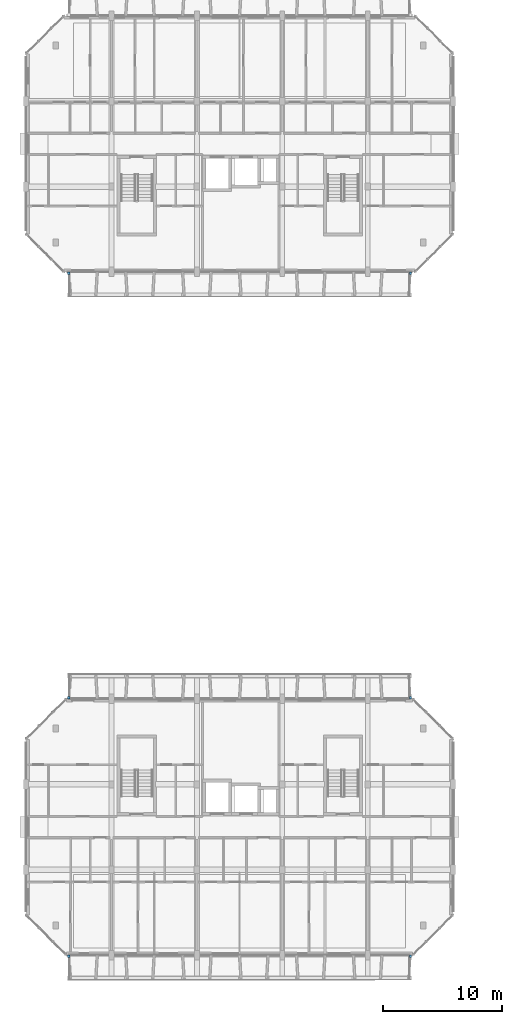
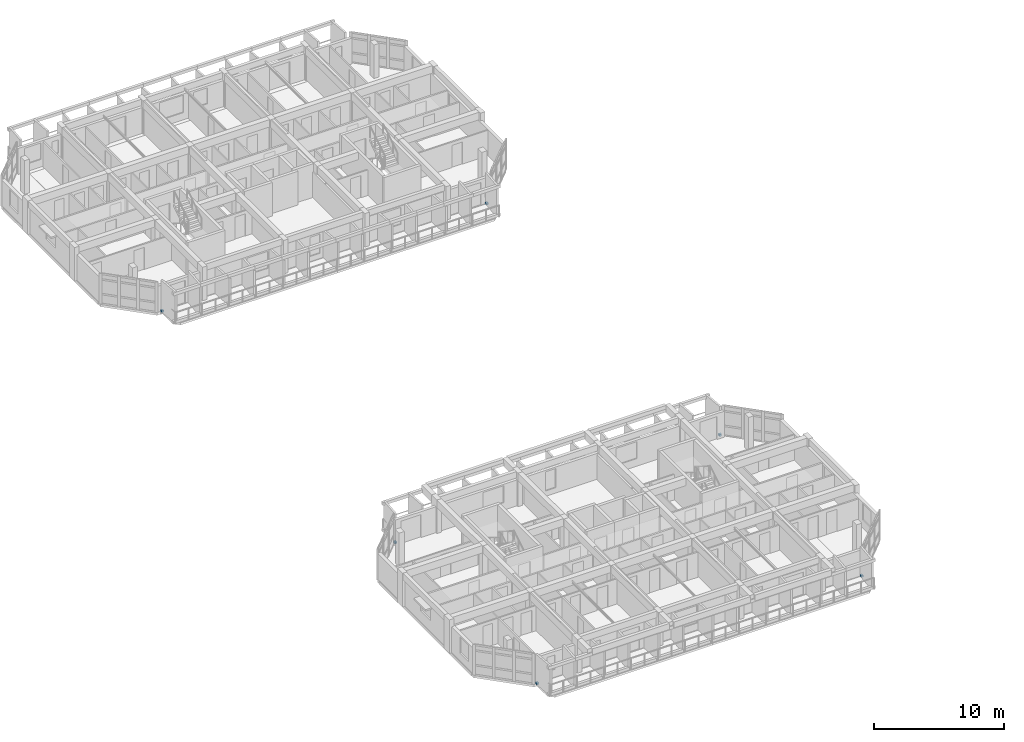
# One storey, part 32 of 46: 6 discrete accessories.
"""IFC4 building model written with IfcOpenShell, lengths in metres."""

from ifc_helpers import new_model, si_unit, direction, frame, origin, origin_2d, place, context, subcontext, project, spatial, rectangle, extrude, material, type_object, element, save


model = new_model("IFC4")

# Units and contexts
model_context = context("Model", 3, precision=1e-05, world=origin(), true_north=direction((0.0, 1.0)))
body_context = subcontext(model_context, "Body", "Model", "MODEL_VIEW")
ifc_project = project(units=[si_unit("LENGTHUNIT", "METRE"), si_unit("AREAUNIT", "SQUARE_METRE"), si_unit("VOLUMEUNIT", "CUBIC_METRE"), si_unit("PLANEANGLEUNIT", "RADIAN"), si_unit("MASSUNIT", "GRAM", prefix="KILO")], contexts=[model_context])

# Site, building, storey
site_placement = place(None, origin())
site = spatial("IfcSite", under=ifc_project, at=site_placement, CompositionType="ELEMENT")
building_placement = place(site_placement, origin())
building = spatial("IfcBuilding", under=site, at=building_placement, Name="Ochrevale Crest", CompositionType="ELEMENT")
storey_placement = place(building_placement, frame((0.0, 0.0, 24.449951171875)))
storey = spatial("IfcBuildingStorey", under=building, at=storey_placement, Name="L07", CompositionType="ELEMENT", Elevation=24.449951171875)

# Discrete accessories
ifc_material = material(Name="Galvanised steel", Category="steel")
discrete_accessory_type = type_object("IfcDiscreteAccessoryType", Name="ACC-BRK-HC", PredefinedType="BRACKET", material=ifc_material)
for number, where, z_axis, x_axis, name in (
    (1, (3.60009765625, 14.300048828125, 0.0), (0.0, 0.0, 1.0), (1.0, 0.0, 0.0), "Block A L07 precast loggia corbel bracket"),
    (2, (32.39990234375, 14.300048828125, 0.0), (0.0, 0.0, 1.0), (1.0, 0.0, 0.0), "Block A L07 precast loggia corbel bracket"),
    (3, (3.60009765625, 36.10009765625, 0.0), (0.0, 0.0, 1.0), (1.0, 0.0, 0.0), "Block A L07 precast loggia corbel bracket"),
    (4, (32.39990234375, 36.10009765625, 0.0), (0.0, 0.0, 1.0), (1.0, 0.0, 0.0), "Block A L07 precast loggia corbel bracket"),
    (5, (3.60009765625, 71.89990234375, 0.0), (0.0, 0.0, 1.0), (1.0, 0.0, 0.0), "Block B L07 precast loggia corbel bracket"),
    (6, (32.39990234375, 71.89990234375, 0.0), (0.0, 0.0, 1.0), (1.0, 0.0, 0.0), "Block B L07 precast loggia corbel bracket"),
):
    element("IfcDiscreteAccessory", number, at=place(storey_placement, frame(where, z_axis=z_axis, x_axis=x_axis)), inside=storey, type_object=discrete_accessory_type, Name=name, PredefinedType="BRACKET", context=body_context, shape_type="SweptSolid", body=[
        extrude(rectangle(XDim=0.179931640625, YDim=0.219970703125, at=origin_2d()), origin(), (0.0, 0.0, 1.0), 0.179931640625),
    ])

save(model, "model.ifc")
